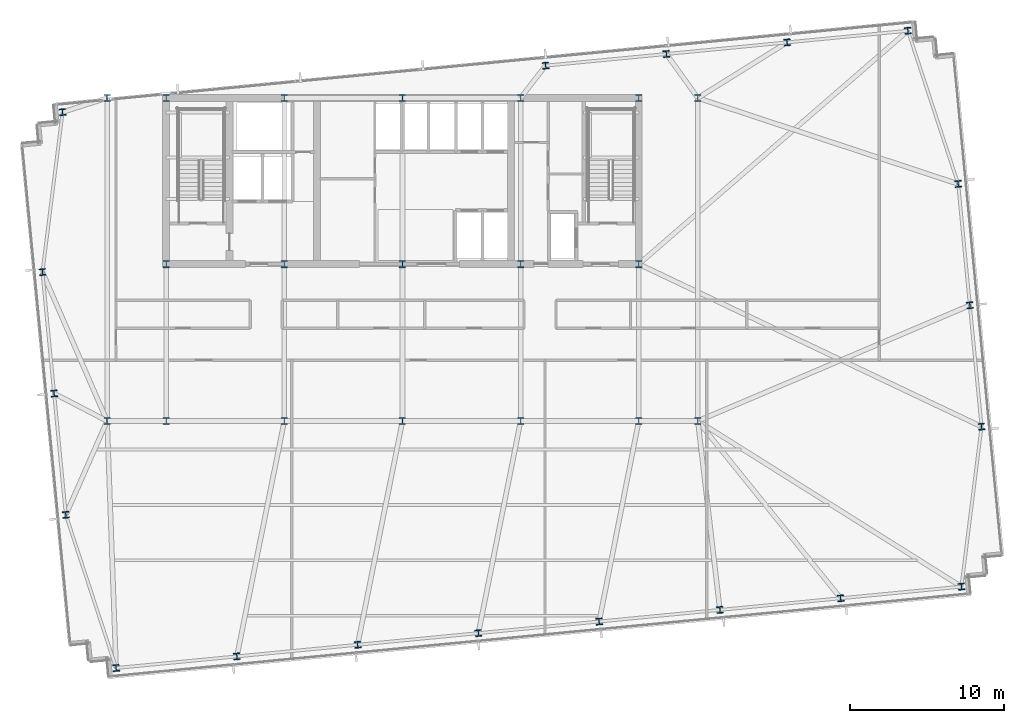
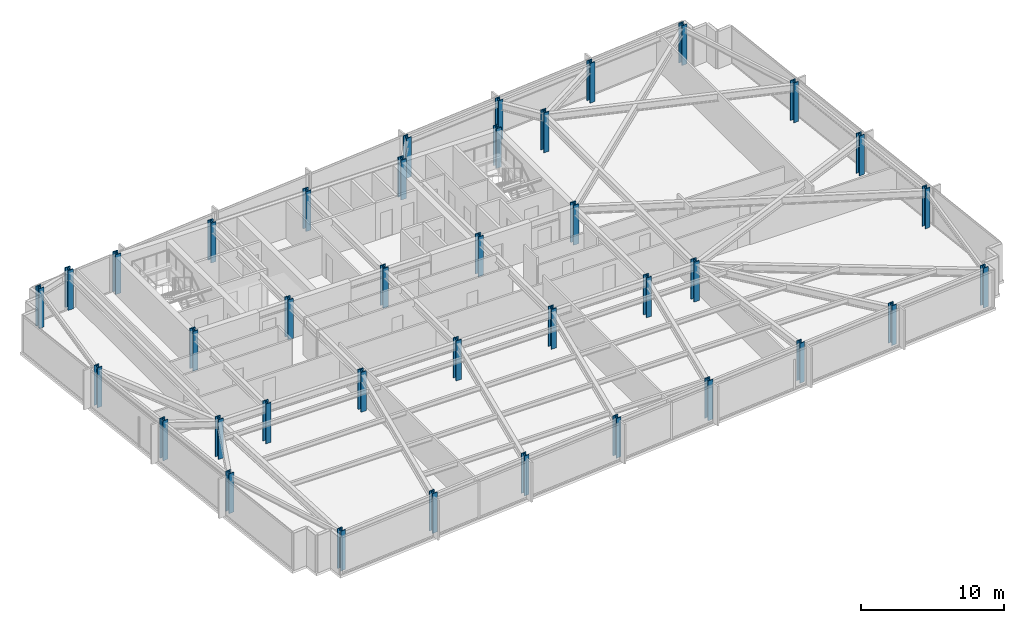
# One storey, part 1 of 32: 38 columns.
"""IFC4 building model written with IfcOpenShell, lengths in metres."""

from ifc_helpers import new_model, si_unit, direction, frame, origin, origin_2d, place, context, subcontext, project, spatial, i_section, extrude, material, material_profile, profile_set, type_object, element, save


model = new_model("IFC4")

# Units and contexts
model_context = context("Model", 3, precision=1e-05, world=origin(), true_north=direction((0.0, 1.0)))
body_context = subcontext(model_context, "Body", "Model", "MODEL_VIEW")
ifc_project = project(units=[si_unit("LENGTHUNIT", "METRE"), si_unit("AREAUNIT", "SQUARE_METRE"), si_unit("VOLUMEUNIT", "CUBIC_METRE"), si_unit("PLANEANGLEUNIT", "RADIAN"), si_unit("MASSUNIT", "GRAM", prefix="KILO")], contexts=[model_context])

# Site, building, storey
site_placement = place(None, origin())
site = spatial("IfcSite", under=ifc_project, at=site_placement, CompositionType="ELEMENT")
building_placement = place(site_placement, origin())
building = spatial("IfcBuilding", under=site, at=building_placement, Name="Yelkora Congress Tower", CompositionType="ELEMENT")
storey_placement = place(building_placement, frame((0.0, 0.0, 113.5)))
storey = spatial("IfcBuildingStorey", under=building, at=storey_placement, Name="L30", CompositionType="ELEMENT", Elevation=113.5)

# Columns
ifc_material = material(Name="Steel S460M", Category="steel")
ifc_material_profile_1 = material_profile(ifc_material, i_section(OverallWidth=0.412109375, OverallDepth=0.43505859375, WebThickness=0.035888671875, FlangeThickness=0.05810546875, FilletRadius=0.014892578125, at=origin_2d()), Name="HD 400x463")
ifc_profile_set_1 = profile_set([ifc_material_profile_1], Name="Steel S460M")
column_type_1 = type_object("IfcColumnType", Name="COL-HD-463-EXT", PredefinedType="COLUMN", material=ifc_profile_set_1)
for number, where, z_axis, x_axis, name in (
    (1, (19.785888671875, 9.144287109375, 0.0), (0.0, 0.0, 1.0), (0.995396198367, 0.09584575252, 0.0), "L30 Perimeter Column S01"),
    (2, (27.635498046875, 9.900146484375, 0.0), (0.0, 0.0, 1.0), (0.995396198367, 0.09584575252, 0.0), "L30 Perimeter Column S02"),
    (3, (35.48486328125, 10.656005859375, 0.0), (0.0, 0.0, 1.0), (0.995396198367, 0.09584575252, 0.0), "L30 Perimeter Column S03"),
    (4, (43.334228515625, 11.411865234375, 0.0), (0.0, 0.0, 1.0), (0.995396198367, 0.09584575252, 0.0), "L30 Perimeter Column S04"),
    (5, (51.18359375, 12.16748046875, 0.0), (0.0, 0.0, 1.0), (0.995396198367, 0.09584575252, 0.0), "L30 Perimeter Column S05"),
    (6, (59.033203125, 12.92333984375, 0.0), (0.0, 0.0, 1.0), (0.995396198367, 0.09584575252, 0.0), "L30 Perimeter Column S06"),
    (7, (66.882568359375, 13.67919921875, 0.0), (0.0, 0.0, 1.0), (0.995396198367, 0.09584575252, 0.0), "L30 Perimeter Column S07"),
    (8, (74.73193359375, 14.43505859375, 0.0), (0.0, 0.0, 1.0), (0.995396198367, 0.09584575252, 0.0), "L30 Perimeter Column S08"),
    (9, (16.306884765625, 45.27734375, 0.0), (0.0, 0.0, 1.0), (0.995396198367, 0.09584575252, 0.0), "L30 Perimeter Column N01"),
    (10, (47.70458984375, 48.300537109375, 0.0), (0.0, 0.0, 1.0), (0.995396198367, 0.09584575252, 0.0), "L30 Perimeter Column N05"),
    (11, (55.553955078125, 49.056396484375, 0.0), (0.0, 0.0, 1.0), (0.995396198367, 0.09584575252, 0.0), "L30 Perimeter Column N06"),
    (12, (63.4033203125, 49.81201171875, 0.0), (0.0, 0.0, 1.0), (0.995396198367, 0.09584575252, 0.0), "L30 Perimeter Column N07"),
    (13, (71.252685546875, 50.568115234375, 0.0), (0.0, 0.0, 1.0), (0.995396198367, 0.09584575252, 0.0), "L30 Perimeter Column N08"),
    (14, (16.5166015625, 19.101806640625, 0.0), (0.0, 0.0, 1.0), (0.995396198367, 0.09584575252, 0.0), "L30 Perimeter Column W01"),
    (15, (76.041259765625, 24.83349609375, 0.0), (0.0, 0.0, 1.0), (0.995396198367, 0.09584575252, 0.0), "L30 Perimeter Column E01"),
    (16, (15.757080078125, 26.990478515625, 0.0), (0.0, 0.0, 1.0), (0.995396198367, 0.09584575252, 0.0), "L30 Perimeter Column W02"),
    (17, (75.28173828125, 32.721923828125, 0.0), (0.0, 0.0, 1.0), (0.995396198367, 0.09584575252, 0.0), "L30 Perimeter Column E02"),
    (18, (14.997314453125, 34.87890625, 0.0), (0.0, 0.0, 1.0), (0.995396198367, 0.09584575252, 0.0), "L30 Perimeter Column W03"),
    (19, (74.522216796875, 40.610595703125, 0.0), (0.0, 0.0, 1.0), (0.995396198367, 0.09584575252, 0.0), "L30 Perimeter Column E03"),
):
    element("IfcColumn", number, at=place(storey_placement, frame(where, z_axis=z_axis, x_axis=x_axis)), inside=storey, type_object=column_type_1, Name=name, PredefinedType="COLUMN", context=body_context, shape_type="SweptSolid", body=[
        extrude(i_section(OverallWidth=0.412109375, OverallDepth=0.43505859375, WebThickness=0.035888671875, FlangeThickness=0.05810546875, FilletRadius=0.014892578125, at=origin_2d()), origin(), (0.0, 0.0, 1.0), 3.39990234375),
    ])
ifc_material_profile_2 = material_profile(ifc_material, i_section(OverallWidth=0.424072265625, OverallDepth=0.47412109375, WebThickness=0.047119140625, FlangeThickness=0.076904296875, FilletRadius=0.014892578125, at=origin_2d()), Name="HD 400x634")
ifc_profile_set_2 = profile_set([ifc_material_profile_2], Name="Steel S460M")
column_type_2 = type_object("IfcColumnType", Name="COL-HD-634", PredefinedType="COLUMN", material=ifc_profile_set_2)
for number, where, z_axis, x_axis, name in (
    (20, (23.0400390625, 35.39990234375, 0.0), (0.0, 0.0, 1.0), (1.0, 0.0, 0.0), "L30 Mega Column MC-S1"),
    (21, (23.0400390625, 46.199951171875, 0.0), (0.0, 0.0, 1.0), (1.0, 0.0, 0.0), "L30 Mega Column MC-N1"),
    (22, (23.0400390625, 25.199951171875, 0.0), (0.0, 0.0, 1.0), (1.0, 0.0, 0.0), "L30 Mega Column MC-D1"),
    (23, (30.719970703125, 35.39990234375, 0.0), (0.0, 0.0, 1.0), (1.0, 0.0, 0.0), "L30 Mega Column MC-S2"),
    (24, (30.719970703125, 46.199951171875, 0.0), (0.0, 0.0, 1.0), (1.0, 0.0, 0.0), "L30 Mega Column MC-N2"),
    (25, (30.719970703125, 25.199951171875, 0.0), (0.0, 0.0, 1.0), (1.0, 0.0, 0.0), "L30 Mega Column MC-D2"),
    (26, (38.39990234375, 35.39990234375, 0.0), (0.0, 0.0, 1.0), (1.0, 0.0, 0.0), "L30 Mega Column MC-S3"),
    (27, (38.39990234375, 46.199951171875, 0.0), (0.0, 0.0, 1.0), (1.0, 0.0, 0.0), "L30 Mega Column MC-N3"),
    (28, (38.39990234375, 25.199951171875, 0.0), (0.0, 0.0, 1.0), (1.0, 0.0, 0.0), "L30 Mega Column MC-D3"),
    (29, (46.080078125, 35.39990234375, 0.0), (0.0, 0.0, 1.0), (1.0, 0.0, 0.0), "L30 Mega Column MC-S4"),
    (30, (46.080078125, 46.199951171875, 0.0), (0.0, 0.0, 1.0), (1.0, 0.0, 0.0), "L30 Mega Column MC-N4"),
    (31, (46.080078125, 25.199951171875, 0.0), (0.0, 0.0, 1.0), (1.0, 0.0, 0.0), "L30 Mega Column MC-D4"),
    (32, (53.760009765625, 35.39990234375, 0.0), (0.0, 0.0, 1.0), (1.0, 0.0, 0.0), "L30 Mega Column MC-S5"),
    (33, (53.760009765625, 46.199951171875, 0.0), (0.0, 0.0, 1.0), (1.0, 0.0, 0.0), "L30 Mega Column MC-N5"),
    (34, (53.760009765625, 25.199951171875, 0.0), (0.0, 0.0, 1.0), (1.0, 0.0, 0.0), "L30 Mega Column MC-D5"),
    (35, (19.199951171875, 25.199951171875, 0.0), (0.0, 0.0, 1.0), (1.0, 0.0, 0.0), "L30 Mega Column MC-F1"),
    (36, (57.60009765625, 25.199951171875, 0.0), (0.0, 0.0, 1.0), (1.0, 0.0, 0.0), "L30 Mega Column MC-F2"),
    (37, (19.199951171875, 46.199951171875, 0.0), (0.0, 0.0, 1.0), (1.0, 0.0, 0.0), "L30 Mega Column MC-F3"),
    (38, (57.60009765625, 46.199951171875, 0.0), (0.0, 0.0, 1.0), (1.0, 0.0, 0.0), "L30 Mega Column MC-F4"),
):
    element("IfcColumn", number, at=place(storey_placement, frame(where, z_axis=z_axis, x_axis=x_axis)), inside=storey, type_object=column_type_2, Name=name, PredefinedType="COLUMN", context=body_context, shape_type="SweptSolid", body=[
        extrude(i_section(OverallWidth=0.424072265625, OverallDepth=0.47412109375, WebThickness=0.047119140625, FlangeThickness=0.076904296875, FilletRadius=0.014892578125, at=origin_2d()), origin(), (0.0, 0.0, 1.0), 3.39990234375),
    ])

save(model, "model.ifc")
